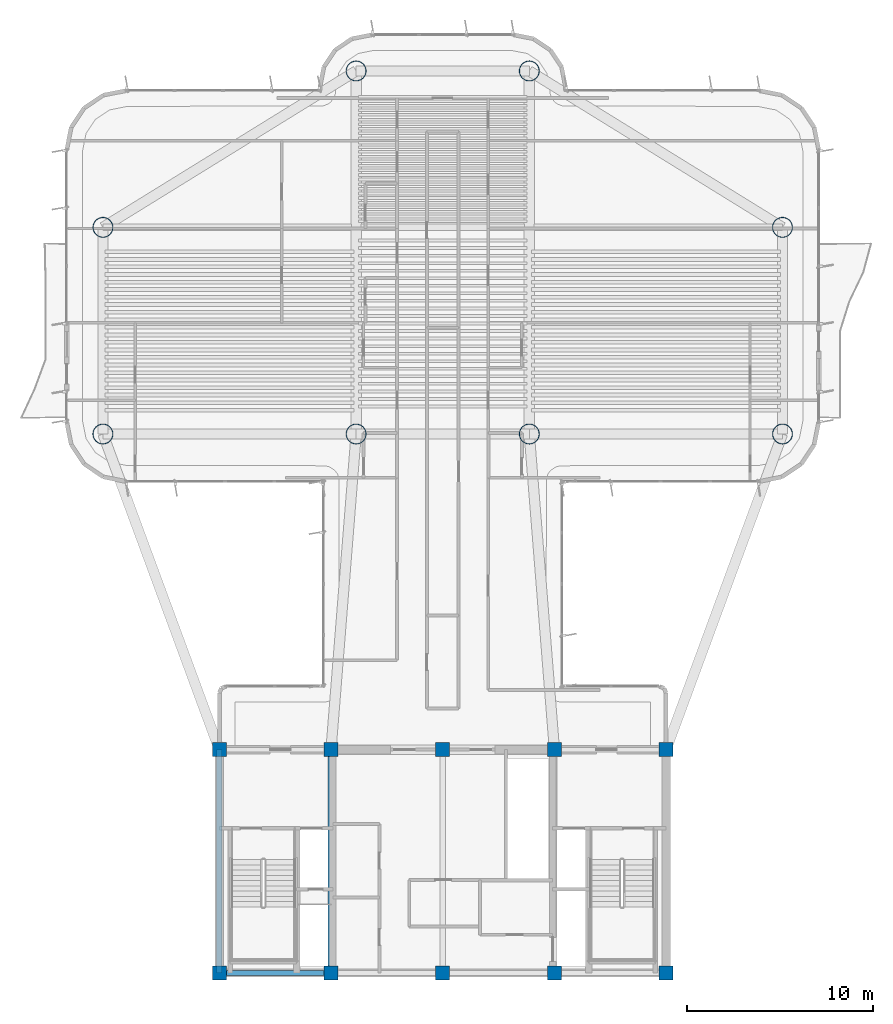
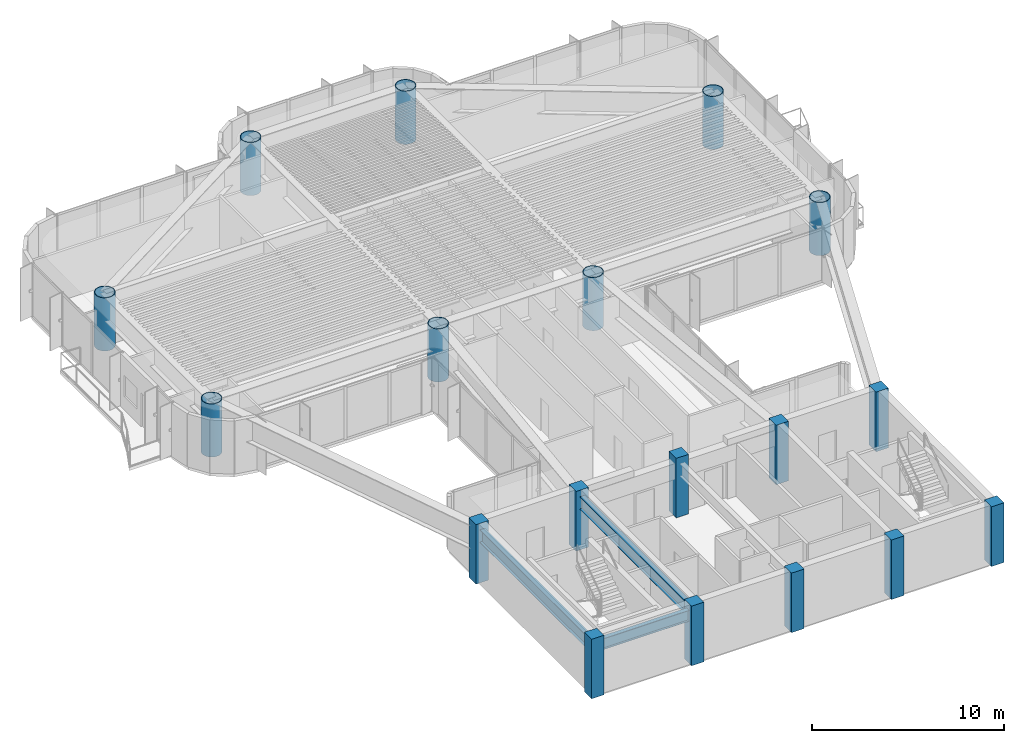
# One storey, part 1 of 13: 18 columns, 3 beams.
"""IFC4 building model written with IfcOpenShell, lengths in metres."""

from ifc_helpers import new_model, si_unit, direction, frame, origin, origin_2d, place, context, subcontext, project, spatial, rectangle, hollow_circle, i_section, extrude, source, transform, mapped, material, material_profile, profile_set, type_object, element, save


model = new_model("IFC4")

# Units and contexts
model_context = context("Model", 3, precision=1e-05, world=origin(), true_north=direction((0.0, 1.0)))
body_context = subcontext(model_context, "Body", "Model", "MODEL_VIEW")
ifc_project = project(units=[si_unit("LENGTHUNIT", "METRE"), si_unit("AREAUNIT", "SQUARE_METRE"), si_unit("VOLUMEUNIT", "CUBIC_METRE"), si_unit("PLANEANGLEUNIT", "RADIAN"), si_unit("MASSUNIT", "GRAM", prefix="KILO")], contexts=[model_context])

# Site, building, storey
site_placement = place(None, origin())
site = spatial("IfcSite", under=ifc_project, at=site_placement, CompositionType="ELEMENT")
building_placement = place(site_placement, origin())
building = spatial("IfcBuilding", under=site, at=building_placement, Name="Brelvock Crest Care Tower", CompositionType="ELEMENT")
storey_placement = place(building_placement, frame((0.0, 0.0, 209.340087890625)))
storey = spatial("IfcBuildingStorey", under=building, at=storey_placement, Name="L53", CompositionType="ELEMENT", Elevation=209.340087890625)

# Columns
ifc_material_1 = material(Name="Concrete S65 (65 MPa)", Category="concrete")
ifc_material_profile_1 = material_profile(ifc_material_1, rectangle(XDim=0.75, YDim=0.75, at=origin_2d()), Name="RC750x750")
ifc_profile_set_1 = profile_set([ifc_material_profile_1], Name="Concrete S65 (65 MPa)")
column_type_1 = type_object("IfcColumnType", Name="COL-RC3", PredefinedType="COLUMN", material=ifc_profile_set_1)
shared_shape_1 = source(origin(), body_context, "Body", "SweptSolid", [
    extrude(rectangle(XDim=0.75, YDim=0.75, at=origin_2d()), origin(), (0.0, 0.0, 1.0), 3.780029296875),
])
for number, where, z_axis, x_axis, name in (
    (1, (24.0, 6.0, 0.0), (0.0, 0.0, 1.0), (1.0, 0.0, 0.0), "L53 Core Column CC-01"),
    (2, (30.0, 6.0, 0.0), (0.0, 0.0, 1.0), (1.0, 0.0, 0.0), "L53 Core Column CC-02"),
    (3, (36.0, 6.0, 0.0), (0.0, 0.0, 1.0), (1.0, 0.0, 0.0), "L53 Core Column CC-03"),
    (4, (42.0, 6.0, 0.0), (0.0, 0.0, 1.0), (1.0, 0.0, 0.0), "L53 Core Column CC-04"),
    (5, (48.0, 6.0, 0.0), (0.0, 0.0, 1.0), (1.0, 0.0, 0.0), "L53 Core Column CC-05"),
    (6, (24.0, 18.0, 0.0), (0.0, 0.0, 1.0), (1.0, 0.0, 0.0), "L53 Core Column CC-06"),
    (7, (30.0, 18.0, 0.0), (0.0, 0.0, 1.0), (1.0, 0.0, 0.0), "L53 Core Column CC-07"),
    (8, (36.0, 18.0, 0.0), (0.0, 0.0, 1.0), (1.0, 0.0, 0.0), "L53 Core Column CC-08"),
    (9, (42.0, 18.0, 0.0), (0.0, 0.0, 1.0), (1.0, 0.0, 0.0), "L53 Core Column CC-09"),
    (10, (48.0, 18.0, 0.0), (0.0, 0.0, 1.0), (1.0, 0.0, 0.0), "L53 Core Column CC-10"),
):
    element("IfcColumn", number, at=place(storey_placement, frame(where, z_axis=z_axis, x_axis=x_axis)), inside=storey, type_object=column_type_1, Name=name, PredefinedType="COLUMN", context=body_context, shape_type="MappedRepresentation", body=[
        mapped(shared_shape_1, transform((0.0, 0.0, 0.0), x_axis=(1.0, 0.0, 0.0), y_axis=(0.0, 1.0, 0.0), z_axis=(0.0, 0.0, 1.0), scale=1.0)),
    ])
ifc_material_2 = material(Name="Steel Grade 350", Category="steel")
ifc_material_profile_2 = material_profile(ifc_material_2, hollow_circle(Radius=0.550048828125, WallThickness=0.0400390625, at=origin_2d()), Name="CFT1100x40")
ifc_profile_set_2 = profile_set([ifc_material_profile_2], Name="Steel Grade 350")
column_type_2 = type_object("IfcColumnType", Name="COL-MC3", PredefinedType="COLUMN", material=ifc_profile_set_2)
shared_shape_2 = source(origin(), body_context, "Body", "SweptSolid", [
    extrude(hollow_circle(Radius=0.550048828125, WallThickness=0.0400390625, at=origin_2d()), origin(), (0.0, 0.0, 1.0), 3.371826171875),
])
for number, where, z_axis, x_axis, name in (
    (11, (17.75, 34.949951171875, 0.0), (0.0, 0.0, 1.0), (1.0, 0.0, 0.0), "L53 Tower Column M1"),
    (12, (17.75, 46.050048828125, 0.0), (0.0, 0.0, 1.0), (1.0, 0.0, 0.0), "L53 Tower Column M2"),
    (13, (54.25, 34.949951171875, 0.0), (0.0, 0.0, 1.0), (1.0, 0.0, 0.0), "L53 Tower Column M3"),
    (14, (54.25, 46.050048828125, 0.0), (0.0, 0.0, 1.0), (1.0, 0.0, 0.0), "L53 Tower Column M4"),
    (15, (31.35009765625, 34.949951171875, 0.0), (0.0, 0.0, 1.0), (1.0, 0.0, 0.0), "L53 Tower Column M5"),
    (16, (40.64990234375, 34.949951171875, 0.0), (0.0, 0.0, 1.0), (1.0, 0.0, 0.0), "L53 Tower Column M6"),
    (17, (31.35009765625, 54.449951171875, 0.0), (0.0, 0.0, 1.0), (1.0, 0.0, 0.0), "L53 Tower Column M7"),
    (18, (40.64990234375, 54.449951171875, 0.0), (0.0, 0.0, 1.0), (1.0, 0.0, 0.0), "L53 Tower Column M8"),
):
    element("IfcColumn", number, at=place(storey_placement, frame(where, z_axis=z_axis, x_axis=x_axis)), inside=storey, type_object=column_type_2, Name=name, PredefinedType="COLUMN", context=body_context, shape_type="MappedRepresentation", body=[
        mapped(shared_shape_2, transform((0.0, 0.0, 0.0), x_axis=(1.0, 0.0, 0.0), y_axis=(0.0, 1.0, 0.0), z_axis=(0.0, 0.0, 1.0), scale=1.0)),
    ])

# Beams
ifc_material_profile_3 = material_profile(ifc_material_2, i_section(OverallWidth=0.25, OverallDepth=0.699951171875, WebThickness=0.011962890625, FlangeThickness=0.02001953125, at=origin_2d()), Name="700WB150")
ifc_profile_set_3 = profile_set([ifc_material_profile_3], Name="Steel Grade 350")
beam_type_1 = type_object("IfcBeamType", Name="BM-G4", PredefinedType="BEAM", material=ifc_profile_set_3)
shared_shape_3 = source(origin(), body_context, "Body", "SweptSolid", [
    extrude(i_section(OverallWidth=0.25, OverallDepth=0.699951171875, WebThickness=0.011962890625, FlangeThickness=0.02001953125, at=origin_2d()), origin(), (0.0, 0.0, 1.0), 6.0),
])
beam_placement = place(storey_placement, frame((24.0, 6.0, 3.02197265625), z_axis=(1.0, 0.0, 0.0), x_axis=(0.0, 1.0, 0.0)))
element("IfcBeam", 19, at=beam_placement, inside=storey, type_object=beam_type_1, Name="BM-CORES-L53-1", PredefinedType="BEAM", context=body_context, shape_type="MappedRepresentation", body=[
    mapped(shared_shape_3, transform((0.0, 0.0, 0.0), x_axis=(1.0, 0.0, 0.0), y_axis=(0.0, 1.0, 0.0), z_axis=(0.0, 0.0, 1.0), scale=1.0)),
])
ifc_material_profile_4 = material_profile(ifc_material_2, i_section(OverallWidth=0.300048828125, OverallDepth=0.800048828125, WebThickness=0.013916015625, FlangeThickness=0.02197265625, at=origin_2d()), Name="800WB192")
ifc_profile_set_4 = profile_set([ifc_material_profile_4], Name="Steel Grade 350")
beam_type_2 = type_object("IfcBeamType", Name="BM-G5", PredefinedType="BEAM", material=ifc_profile_set_4)
shared_shape_4 = source(origin(), body_context, "Body", "SweptSolid", [
    extrude(i_section(OverallWidth=0.300048828125, OverallDepth=0.800048828125, WebThickness=0.013916015625, FlangeThickness=0.02197265625, at=origin_2d()), origin(), (0.0, 0.0, 1.0), 12.0),
])
for number, where, z_axis, x_axis, name in (
    (20, (24.0, 6.0, 2.971923828125), (0.0, 1.0, 0.0), (-1.0, 0.0, 0.0), "BM-COREX-L53-1"),
    (21, (30.0, 6.0, 2.971923828125), (0.0, 1.0, 0.0), (-1.0, 0.0, 0.0), "BM-COREX-L53-2"),
):
    element("IfcBeam", number, at=place(storey_placement, frame(where, z_axis=z_axis, x_axis=x_axis)), inside=storey, type_object=beam_type_2, Name=name, PredefinedType="BEAM", context=body_context, shape_type="MappedRepresentation", body=[
        mapped(shared_shape_4, transform((0.0, 0.0, 0.0), x_axis=(1.0, 0.0, 0.0), y_axis=(0.0, 1.0, 0.0), z_axis=(0.0, 0.0, 1.0), scale=1.0)),
    ])

save(model, "model.ifc")
